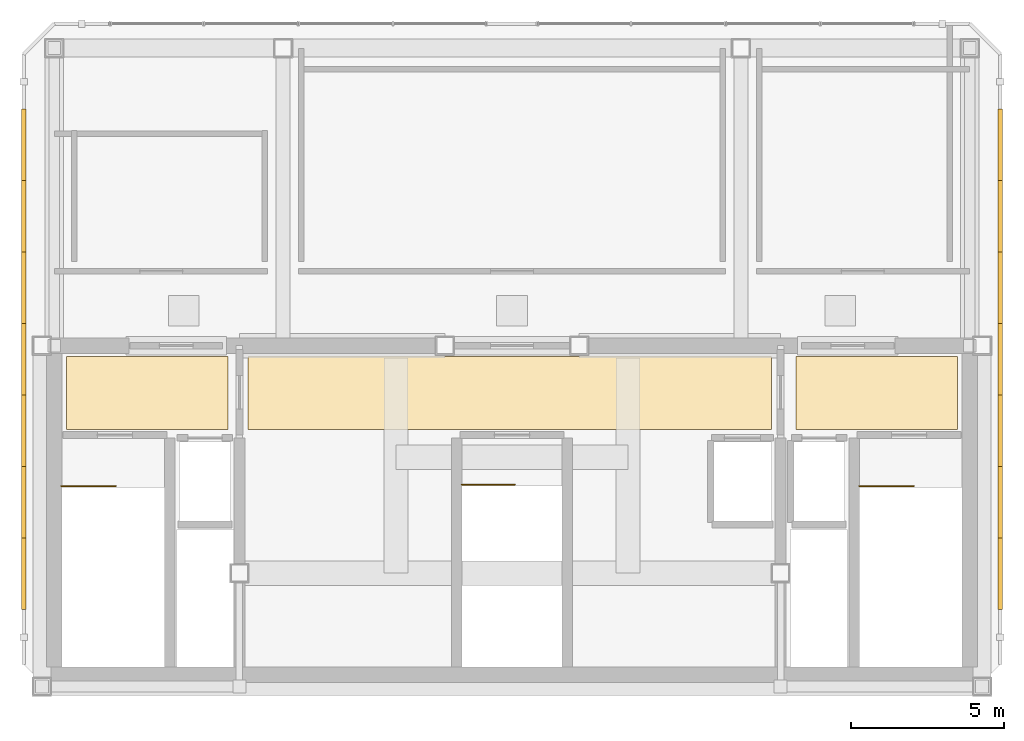
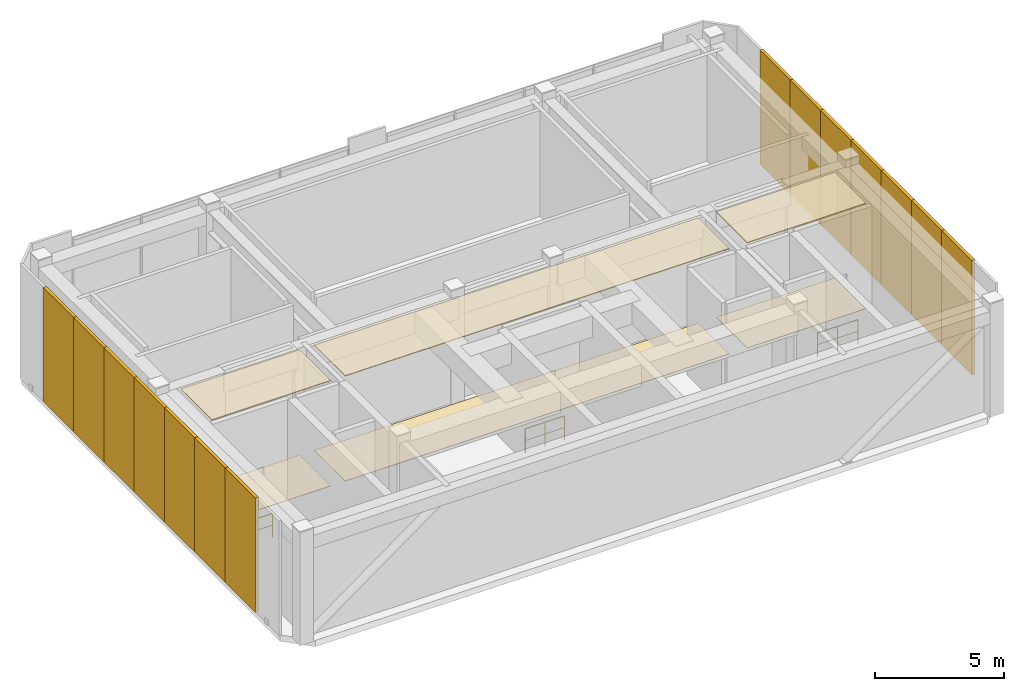
# One storey, part 9 of 9: 14 shading devices, 6 coverings, 3 railings.
"""IFC4 building model written with IfcOpenShell, lengths in metres."""

from ifc_helpers import new_model, si_unit, direction, frame, origin, origin_2d, place, context, subcontext, project, spatial, polyline, rectangle, circle, outline, extrude, material, layer, layer_set, type_object, element, save


model = new_model("IFC4")

# Units and contexts
model_context = context("Model", 3, precision=1e-05, world=origin(), true_north=direction((0.0, 1.0)))
body_context = subcontext(model_context, "Body", "Model", "MODEL_VIEW")
ifc_project = project(units=[si_unit("LENGTHUNIT", "METRE"), si_unit("AREAUNIT", "SQUARE_METRE"), si_unit("VOLUMEUNIT", "CUBIC_METRE"), si_unit("PLANEANGLEUNIT", "RADIAN"), si_unit("MASSUNIT", "GRAM", prefix="KILO")], contexts=[model_context])

# Site, building, storey
site_placement = place(None, origin())
site = spatial("IfcSite", under=ifc_project, at=site_placement, CompositionType="ELEMENT")
building_placement = place(site_placement, origin())
building = spatial("IfcBuilding", under=site, at=building_placement, Name="Ventersveld Concourse Tower", CompositionType="ELEMENT")
storey_placement = place(building_placement, frame((0.0, 0.0, 388.25)))
storey = spatial("IfcBuildingStorey", under=building, at=storey_placement, Name="L94", CompositionType="ELEMENT", Elevation=388.25)

# Coverings
ifc_material_1 = material(Name="Mineral-fibre acoustic ceiling tile", Category="gypsum")
ifc_layer_1 = layer(ifc_material_1, 0.0400390625)
ifc_layer_set_1 = layer_set([ifc_layer_1], Name="Mineral-fibre acoustic ceiling tile")
covering_type_1 = type_object("IfcCoveringType", Name="COV-CEIL-ACOUSTIC", PredefinedType="CEILING", material=ifc_layer_set_1)
covering_1_placement = place(storey_placement, frame((0.0, 0.0, 4.9599609375)))
element("IfcCovering", 1, at=covering_1_placement, inside=storey, type_object=covering_type_1, Name="L94 North Lift Lobby Acoustic Ceiling", PredefinedType="CEILING", context=body_context, shape_type="SweptSolid", body=[
    extrude(outline(polyline([(20.10009765625, 8.699951171875), (37.25, 8.699951171875), (37.25, 11.10009765625), (20.10009765625, 11.10009765625), (20.10009765625, 8.699951171875)])), origin(), (0.0, 0.0, 1.0), 0.0400390625),
])
covering_2_placement = place(storey_placement, frame((0.0, 0.0, 4.9599609375)))
element("IfcCovering", 2, at=covering_2_placement, inside=storey, type_object=covering_type_1, Name="L94 West Firefighting Lobby Acoustic Ceiling", PredefinedType="CEILING", context=body_context, shape_type="SweptSolid", body=[
    extrude(outline(polyline([(14.14990234375, 8.699951171875), (19.449951171875, 8.699951171875), (19.449951171875, 11.10009765625), (14.14990234375, 11.10009765625), (14.14990234375, 8.699951171875)])), origin(), (0.0, 0.0, 1.0), 0.0400390625),
])
covering_3_placement = place(storey_placement, frame((0.0, 0.0, 4.9599609375)))
element("IfcCovering", 3, at=covering_3_placement, inside=storey, type_object=covering_type_1, Name="L94 East Firefighting Lobby Acoustic Ceiling", PredefinedType="CEILING", context=body_context, shape_type="SweptSolid", body=[
    extrude(outline(polyline([(38.050048828125, 8.699951171875), (43.35009765625, 8.699951171875), (43.35009765625, 11.10009765625), (38.050048828125, 11.10009765625), (38.050048828125, 8.699951171875)])), origin(), (0.0, 0.0, 1.0), 0.0400390625),
])
ifc_material_2 = material(Name="Polished Highveld granite terrazzo", Category="masonry")
ifc_layer_2 = layer(ifc_material_2, 0.02001953125)
ifc_layer_set_2 = layer_set([ifc_layer_2], Name="Polished Highveld granite terrazzo")
covering_type_2 = type_object("IfcCoveringType", Name="COV-FLOOR-TERRAZZO", PredefinedType="FLOORING", material=ifc_layer_set_2)
covering_4_placement = place(storey_placement, origin())
element("IfcCovering", 4, at=covering_4_placement, inside=storey, type_object=covering_type_2, Name="L94 North Lift Lobby Terrazzo Flooring", PredefinedType="FLOORING", context=body_context, shape_type="SweptSolid", body=[
    extrude(outline(polyline([(20.10009765625, 8.699951171875), (37.25, 8.699951171875), (37.25, 11.10009765625), (20.10009765625, 11.10009765625), (20.10009765625, 8.699951171875)])), origin(), (0.0, 0.0, 1.0), 0.02001953125),
])
covering_5_placement = place(storey_placement, origin())
element("IfcCovering", 5, at=covering_5_placement, inside=storey, type_object=covering_type_2, Name="L94 West Firefighting Lobby Terrazzo Flooring", PredefinedType="FLOORING", context=body_context, shape_type="SweptSolid", body=[
    extrude(outline(polyline([(14.14990234375, 8.699951171875), (19.449951171875, 8.699951171875), (19.449951171875, 11.10009765625), (14.14990234375, 11.10009765625), (14.14990234375, 8.699951171875)])), origin(), (0.0, 0.0, 1.0), 0.02001953125),
])
covering_6_placement = place(storey_placement, origin())
element("IfcCovering", 6, at=covering_6_placement, inside=storey, type_object=covering_type_2, Name="L94 East Firefighting Lobby Terrazzo Flooring", PredefinedType="FLOORING", context=body_context, shape_type="SweptSolid", body=[
    extrude(outline(polyline([(38.050048828125, 8.699951171875), (43.35009765625, 8.699951171875), (43.35009765625, 11.10009765625), (38.050048828125, 11.10009765625), (38.050048828125, 8.699951171875)])), origin(), (0.0, 0.0, 1.0), 0.02001953125),
])

# Railings
ifc_material_3 = material(Name="Brushed stainless steel 316", Category="steel")
railing_type = type_object("IfcRailingType", Name="GD-BAL-115", PredefinedType="GUARDRAIL", material=ifc_material_3)
railing_1_placement = place(storey_placement, frame((13.97998046875, 6.85009765625, 0.0)))
element("IfcRailing", 7, at=railing_1_placement, inside=storey, type_object=railing_type, Name="L94 ST-01 top well guard 1", PredefinedType="GUARDRAIL", context=body_context, shape_type="SweptSolid", body=[
    extrude(circle(Radius=0.02392578125, at=origin_2d()), frame((0.0, 0.0, 1.1259765625), z_axis=(1.0, 0.0, 0.0), x_axis=(0.0, 1.0, 0.0)), (0.0, 0.0, 1.0), 1.800048828125),
    extrude(circle(Radius=0.01611328125, at=origin_2d()), frame((0.0, 0.0, 0.574951171875), z_axis=(1.0, 0.0, 0.0), x_axis=(0.0, 1.0, 0.0)), (0.0, 0.0, 1.0), 1.800048828125),
    extrude(circle(Radius=0.02099609375, at=origin_2d()), origin(), (0.0, 0.0, 1.0), 1.101806640625),
    extrude(circle(Radius=0.02099609375, at=origin_2d()), frame((0.89990234375, 0.0, 0.0)), (0.0, 0.0, 1.0), 1.101806640625),
    extrude(circle(Radius=0.02099609375, at=origin_2d()), frame((1.800048828125, 0.0, 0.0)), (0.0, 0.0, 1.0), 1.101806640625),
])
railing_2_placement = place(storey_placement, frame((40.1201171875, 6.85009765625, 0.0)))
element("IfcRailing", 8, at=railing_2_placement, inside=storey, type_object=railing_type, Name="L94 ST-02 top well guard 1", PredefinedType="GUARDRAIL", context=body_context, shape_type="SweptSolid", body=[
    extrude(circle(Radius=0.02392578125, at=origin_2d()), frame((0.0, 0.0, 1.1259765625), z_axis=(1.0, 0.0, 0.0), x_axis=(0.0, 1.0, 0.0)), (0.0, 0.0, 1.0), 1.7998046875),
    extrude(circle(Radius=0.01611328125, at=origin_2d()), frame((0.0, 0.0, 0.574951171875), z_axis=(1.0, 0.0, 0.0), x_axis=(0.0, 1.0, 0.0)), (0.0, 0.0, 1.0), 1.7998046875),
    extrude(circle(Radius=0.02099609375, at=origin_2d()), origin(), (0.0, 0.0, 1.0), 1.101806640625),
    extrude(circle(Radius=0.02099609375, at=origin_2d()), frame((0.89990234375, 0.0, 0.0)), (0.0, 0.0, 1.0), 1.101806640625),
    extrude(circle(Radius=0.02099609375, at=origin_2d()), frame((1.7998046875, 0.0, 0.0)), (0.0, 0.0, 1.0), 1.101806640625),
])
railing_3_placement = place(storey_placement, frame((27.10009765625, 6.89990234375, 0.0)))
element("IfcRailing", 9, at=railing_3_placement, inside=storey, type_object=railing_type, Name="L94 ST-03 top well guard 1", PredefinedType="GUARDRAIL", context=body_context, shape_type="SweptSolid", body=[
    extrude(circle(Radius=0.02392578125, at=origin_2d()), frame((0.0, 0.0, 1.1259765625), z_axis=(1.0, 0.0, 0.0), x_axis=(0.0, 1.0, 0.0)), (0.0, 0.0, 1.0), 1.75),
    extrude(circle(Radius=0.01611328125, at=origin_2d()), frame((0.0, 0.0, 0.574951171875), z_axis=(1.0, 0.0, 0.0), x_axis=(0.0, 1.0, 0.0)), (0.0, 0.0, 1.0), 1.75),
    extrude(circle(Radius=0.02099609375, at=origin_2d()), origin(), (0.0, 0.0, 1.0), 1.101806640625),
    extrude(circle(Radius=0.02099609375, at=origin_2d()), frame((0.875, 0.0, 0.0)), (0.0, 0.0, 1.0), 1.101806640625),
    extrude(circle(Radius=0.02099609375, at=origin_2d()), frame((1.75, 0.0, 0.0)), (0.0, 0.0, 1.0), 1.101806640625),
])

# Shading devices
ifc_material_4 = material(Name="Anodised aluminium EN AW-6063-T6", Category="aluminium")
shading_device_type = type_object("IfcShadingDeviceType", Name="SHD-SCREEN-CROWN", PredefinedType="JALOUSIE", material=ifc_material_4)
for number, where, z_axis, x_axis, name in (
    (10, (44.75, 3.971435546875, 0.0), (0.0, 0.0, 1.0), (0.0, 1.0, 0.0), "L94 Crown Acoustic Louvre SCREEN E3-C1"),
    (11, (44.75, 6.314453125, 0.0), (0.0, 0.0, 1.0), (0.0, 1.0, 0.0), "L94 Crown Acoustic Louvre SCREEN E3-C2"),
    (12, (44.75, 8.6572265625, 0.0), (0.0, 0.0, 1.0), (0.0, 1.0, 0.0), "L94 Crown Acoustic Louvre SCREEN E3-C3"),
    (13, (44.75, 11.000244140625, 0.0), (0.0, 0.0, 1.0), (0.0, 1.0, 0.0), "L94 Crown Acoustic Louvre SCREEN E3-C4"),
    (14, (44.75, 13.343017578125, 0.0), (0.0, 0.0, 1.0), (0.0, 1.0, 0.0), "L94 Crown Acoustic Louvre SCREEN E3-C5"),
    (15, (44.75, 15.68603515625, 0.0), (0.0, 0.0, 1.0), (0.0, 1.0, 0.0), "L94 Crown Acoustic Louvre SCREEN E3-C6"),
    (16, (44.75, 18.02880859375, 0.0), (0.0, 0.0, 1.0), (0.0, 1.0, 0.0), "L94 Crown Acoustic Louvre SCREEN E3-C7"),
    (17, (12.75, 18.028564453125, 0.0), (0.0, 0.0, 1.0), (0.0, -1.0, 0.0), "L94 Crown Acoustic Louvre SCREEN E7-C1"),
    (18, (12.75, 15.685546875, 0.0), (0.0, 0.0, 1.0), (0.0, -1.0, 0.0), "L94 Crown Acoustic Louvre SCREEN E7-C2"),
    (19, (12.75, 13.3427734375, 0.0), (0.0, 0.0, 1.0), (0.0, -1.0, 0.0), "L94 Crown Acoustic Louvre SCREEN E7-C3"),
    (20, (12.75, 10.999755859375, 0.0), (0.0, 0.0, 1.0), (0.0, -1.0, 0.0), "L94 Crown Acoustic Louvre SCREEN E7-C4"),
    (21, (12.75, 8.656982421875, 0.0), (0.0, 0.0, 1.0), (0.0, -1.0, 0.0), "L94 Crown Acoustic Louvre SCREEN E7-C5"),
    (22, (12.75, 6.31396484375, 0.0), (0.0, 0.0, 1.0), (0.0, -1.0, 0.0), "L94 Crown Acoustic Louvre SCREEN E7-C6"),
    (23, (12.75, 3.97119140625, 0.0), (0.0, 0.0, 1.0), (0.0, -1.0, 0.0), "L94 Crown Acoustic Louvre SCREEN E7-C7"),
):
    element("IfcShadingDevice", number, at=place(storey_placement, frame(where, z_axis=z_axis, x_axis=x_axis)), inside=storey, type_object=shading_device_type, Name=name, PredefinedType="JALOUSIE", context=body_context, shape_type="SweptSolid", body=[
        extrude(rectangle(XDim=2.343017578125, YDim=0.139892578125, at=origin_2d()), origin(), (0.0, 0.0, 1.0), 5.39990234375),
    ])

save(model, "model.ifc")
